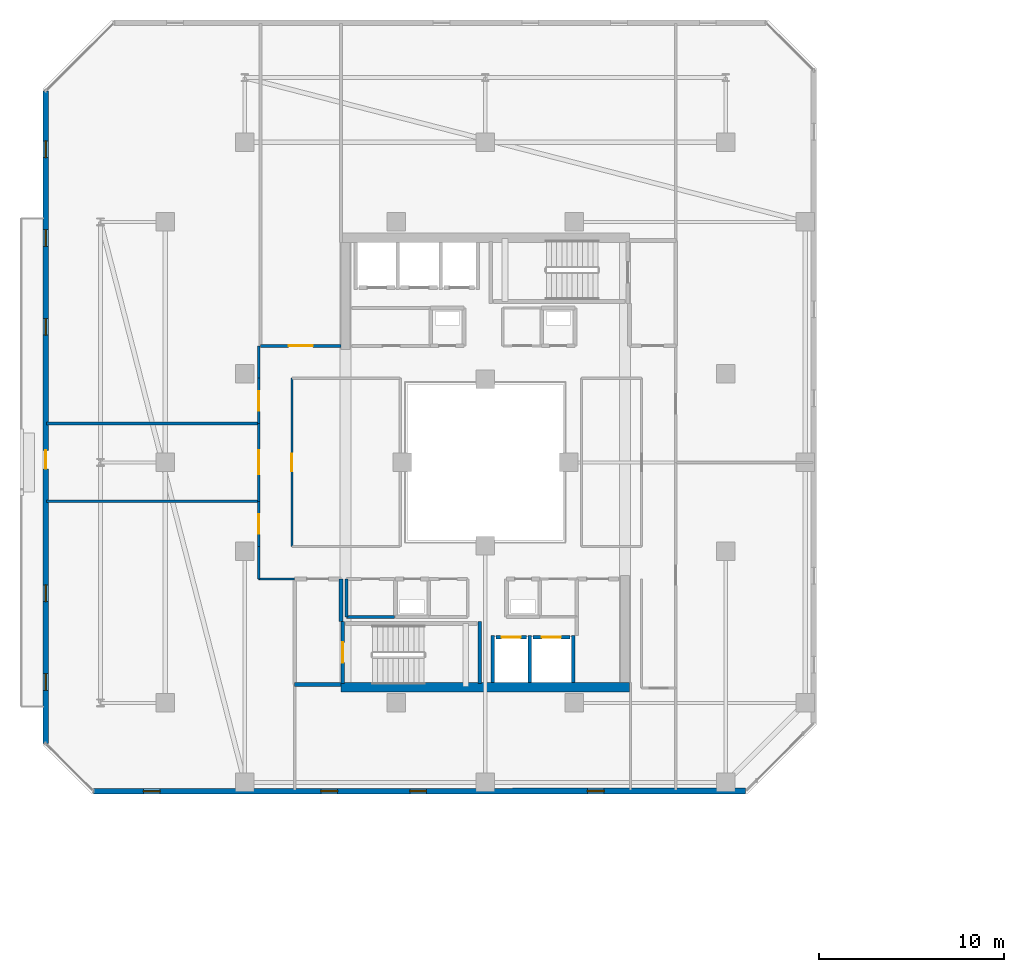
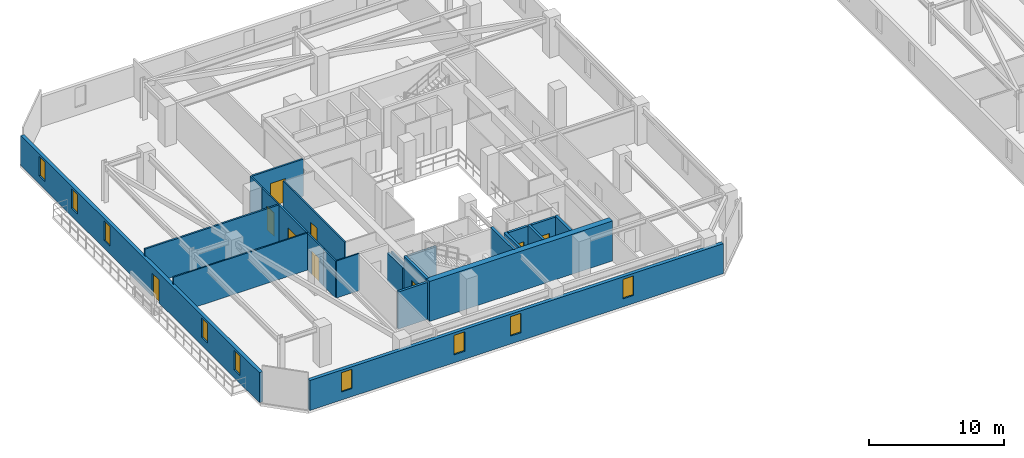
# One storey, part 19 of 33: 24 walls, 9 doors, 9 windows, 18 openings.
"""IFC4 building model written with IfcOpenShell, lengths in metres."""

from ifc_helpers import new_model, si_unit, direction, frame, frame_2d, origin, place, context, subcontext, project, spatial, rectangle, extrude, material, layer, layer_set, type_object, element, fill, save


model = new_model("IFC4")

# Units and contexts
model_context = context("Model", 3, precision=1e-05, world=origin(), true_north=direction((0.0, 1.0)))
body_context = subcontext(model_context, "Body", "Model", "MODEL_VIEW")
ifc_project = project(units=[si_unit("LENGTHUNIT", "METRE"), si_unit("AREAUNIT", "SQUARE_METRE"), si_unit("VOLUMEUNIT", "CUBIC_METRE"), si_unit("PLANEANGLEUNIT", "RADIAN"), si_unit("MASSUNIT", "GRAM", prefix="KILO")], contexts=[model_context])

# Site, building, storey
site_placement = place(None, origin())
site = spatial("IfcSite", under=ifc_project, at=site_placement, CompositionType="ELEMENT")
building_placement = place(site_placement, origin())
building = spatial("IfcBuilding", under=site, at=building_placement, Name="Thornwick Lancets Civic Towers", CompositionType="ELEMENT")
storey_placement = place(building_placement, frame((0.0, 0.0, 207.300048828125)))
storey = spatial("IfcBuildingStorey", under=building, at=storey_placement, Name="L55", CompositionType="ELEMENT", Elevation=207.300048828125)

# Wall, opening, door
ifc_material_1 = material(Name="Concrete blockwork C40/50", Category="masonry")
ifc_layer_1 = layer(ifc_material_1, 0.199951171875, Name="Concrete blockwork C40/50")
ifc_layer_set_1 = layer_set([ifc_layer_1], Name="Concrete blockwork C40/50")
wall_type_1 = type_object("IfcWallType", Name="WALL_COMP_200", PredefinedType="STANDARD", material=ifc_layer_set_1)
wall_1_placement = place(storey_placement, frame((26.080078125, 17.550048828125, 0.0), z_axis=(0.0, 0.0, 1.0), x_axis=(1.0, 0.0, 0.0)))
wall_1 = element("IfcWall", 1, at=wall_1_placement, inside=storey, type_object=wall_type_1, Name="L55 Hoistway Front Wall FL-A1", PredefinedType="STANDARD", context=body_context, shape_type="SweptSolid", body=[
    extrude(rectangle(XDim=1.639892578125, YDim=0.199951171875, at=frame_2d((0.81982421875, 0.0))), origin(), (0.0, 0.0, 1.0), 3.33984375),
])
opening_1_placement = place(wall_1_placement, frame((0.31005859375, 0.0, 0.0)))
opening_1 = element("IfcOpeningElement", 2, at=opening_1_placement, cuts=wall_1, Name="Opening LD-FL-A1", PredefinedType="OPENING", context=body_context, shape_type="SweptSolid", body=[
    extrude(rectangle(XDim=1.02001953125, YDim=2.06005859375, at=frame_2d((0.510009765625, 1.030029296875))), frame((0.0, 0.10986328125, 0.0), z_axis=(0.0, -1.0, 0.0), x_axis=(1.0, 0.0, 0.0)), (0.0, 0.0, 1.0), 0.219970703125),
])
ifc_material_2 = material(Name="Brushed bronze stainless steel", Category="steel")
door_type_1 = type_object("IfcDoorType", Name="DOOR_LIFT_SLIDE", OperationType="SLIDING_TO_LEFT", PredefinedType="DOOR", material=ifc_material_2)
door_1_placement = place(opening_1_placement, origin())
door_1 = element("IfcDoor", 3, at=door_1_placement, inside=storey, type_object=door_type_1, Name="L55 Sliding Lift Landing Door LD-FL-A1", OperationType="SLIDING_TO_LEFT", OverallHeight=2.06005859375, OverallWidth=1.02001953125, PredefinedType="DOOR", context=body_context, shape_type="SweptSolid", body=[
    extrude(rectangle(XDim=1.02001953125, YDim=2.06005859375, at=frame_2d((0.510009765625, 1.030029296875))), frame((0.0, 0.02490234375, 0.0), z_axis=(0.0, -1.0, 0.0), x_axis=(1.0, 0.0, 0.0)), (0.0, 0.0, 1.0), 0.050048828125),
])
fill(opening_1, door_1)

wall_2_placement = place(storey_placement, frame((28.080078125, 17.550048828125, 0.0), z_axis=(0.0, 0.0, 1.0), x_axis=(1.0, 0.0, 0.0)))
wall_2 = element("IfcWall", 4, at=wall_2_placement, inside=storey, type_object=wall_type_1, Name="L55 Hoistway Front Wall PL-AH1", PredefinedType="STANDARD", context=body_context, shape_type="SweptSolid", body=[
    extrude(rectangle(XDim=1.989990234375, YDim=0.199951171875, at=frame_2d((0.9951171875, 0.0))), origin(), (0.0, 0.0, 1.0), 3.33984375),
])
opening_2_placement = place(wall_2_placement, frame((0.485107421875, 0.0, 0.0)))
opening_2 = element("IfcOpeningElement", 5, at=opening_2_placement, cuts=wall_2, Name="Opening LD-PL-AH1", PredefinedType="OPENING", context=body_context, shape_type="SweptSolid", body=[
    extrude(rectangle(XDim=1.02001953125, YDim=2.06005859375, at=frame_2d((0.510009765625, 1.030029296875))), frame((0.0, 0.10986328125, 0.0), z_axis=(0.0, -1.0, 0.0), x_axis=(1.0, 0.0, 0.0)), (0.0, 0.0, 1.0), 0.219970703125),
])
door_2_placement = place(opening_2_placement, origin())
door_2 = element("IfcDoor", 6, at=door_2_placement, inside=storey, type_object=door_type_1, Name="L55 Sliding Lift Landing Door LD-PL-AH1", OperationType="SLIDING_TO_LEFT", OverallHeight=2.06005859375, OverallWidth=1.02001953125, PredefinedType="DOOR", context=body_context, shape_type="SweptSolid", body=[
    extrude(rectangle(XDim=1.02001953125, YDim=2.06005859375, at=frame_2d((0.510009765625, 1.030029296875))), frame((0.0, 0.02490234375, 0.0), z_axis=(0.0, -1.0, 0.0), x_axis=(1.0, 0.0, 0.0)), (0.0, 0.0, 1.0), 0.050048828125),
])
fill(opening_2, door_2)

# Walls
for number, where, z_axis, x_axis, name in (
    (7, (27.89990234375, 15.112060546875, 0.0), (0.0, 0.0, 1.0), (0.0, 1.0, 0.0), "L55 Hoistway Shaft Wall FL-A1 E"),
    (8, (25.89990234375, 15.112060546875, 0.0), (0.0, 0.0, 1.0), (0.0, 1.0, 0.0), "L55 Hoistway Shaft Wall FL-A1 W"),
    (9, (30.25, 15.112060546875, 0.0), (0.0, 0.0, 1.0), (0.0, 1.0, 0.0), "L55 Hoistway Shaft Wall PL-AH1 E"),
):
    element("IfcWall", number, at=place(storey_placement, frame(where, z_axis=z_axis, x_axis=x_axis)), inside=storey, type_object=wall_type_1, Name=name, PredefinedType="STANDARD", context=body_context, shape_type="SweptSolid", body=[
        extrude(rectangle(XDim=2.535888671875, YDim=0.199951171875, at=frame_2d((1.26806640625, 0.0))), origin(), (0.0, 0.0, 1.0), 3.33984375),
    ])
wall_3_placement = place(storey_placement, frame((15.199951171875, 15.0, 0.0), z_axis=(0.0, 0.0, 1.0), x_axis=(1.0, 0.0, 0.0)))
element("IfcWall", 10, at=wall_3_placement, inside=storey, type_object=wall_type_1, Name="L55 Partition L55-A-FFLOB1 E1", PredefinedType="STANDARD", context=body_context, shape_type="SweptSolid", body=[
    extrude(rectangle(XDim=2.5, YDim=0.199951171875, at=frame_2d((1.25, 0.0))), origin(), (0.0, 0.0, 1.0), 3.33984375),
])
wall_4_placement = place(storey_placement, frame((17.699951171875, 18.39990234375, 0.0), z_axis=(0.0, 0.0, 1.0), x_axis=(0.0, 1.0, 0.0)))
element("IfcWall", 11, at=wall_4_placement, inside=storey, type_object=wall_type_1, Name="L55 Partition L55-A-FFLOB1 E2", PredefinedType="STANDARD", context=body_context, shape_type="SweptSolid", body=[
    extrude(rectangle(XDim=2.300048828125, YDim=0.199951171875, at=frame_2d((1.14990234375, 0.0))), origin(), (0.0, 0.0, 1.0), 2.544921875),
])
ifc_material_3 = material(Name="Concrete C50/60", Category="concrete")
ifc_layer_2 = layer(ifc_material_3, 0.5, Name="Concrete C50/60")
ifc_layer_set_2 = layer_set([ifc_layer_2], Name="Concrete C50/60")
wall_type_2 = type_object("IfcWallType", Name="WALL_CORE_500", PredefinedType="SHEAR", material=ifc_layer_set_2)
wall_5_placement = place(storey_placement, frame((17.699951171875, 14.85009765625, 0.0), z_axis=(0.0, 0.0, 1.0), x_axis=(1.0, 0.0, 0.0)))
element("IfcWall", 12, at=wall_5_placement, inside=storey, type_object=wall_type_2, Name="L55 Split Core A1 Shear Wall S", PredefinedType="SHEAR", context=body_context, shape_type="SweptSolid", body=[
    extrude(rectangle(XDim=15.60009765625, YDim=0.5, at=frame_2d((7.800048828125, 0.0))), origin(), (0.0, 0.0, 1.0), 3.599853515625),
])

# Wall, openings, windows
ifc_material_4 = material(Name="Insulated russet terracotta rainscreen on concrete C40/50", Category="masonry")
ifc_layer_3 = layer(ifc_material_4, 0.300048828125, Name="Insulated russet terracotta rainscreen on concrete C40/50")
ifc_layer_set_3 = layer_set([ifc_layer_3], Name="Insulated russet terracotta rainscreen on concrete C40/50")
wall_type_3 = type_object("IfcWallType", Name="WALL_EXT_RUSSET_300", PredefinedType="STANDARD", material=ifc_layer_set_3)
wall_6_placement = place(storey_placement, frame((4.318603515625, 9.2353515625, 0.0), z_axis=(0.0, 0.0, 1.0), x_axis=(0.999999994606, 0.000103863011, 0.0)))
wall_6 = element("IfcWall", 13, at=wall_6_placement, inside=storey, type_object=wall_type_3, Name="L55 Tower A Terracotta Facade Wall E0", PredefinedType="STANDARD", context=body_context, shape_type="SweptSolid", body=[
    extrude(rectangle(XDim=35.259033203125, YDim=0.300048828125, at=frame_2d((17.62939453125, 0.0))), origin(), (0.0, 0.0, 1.0), 2.699951171875),
])
opening_3_placement = place(wall_6_placement, frame((2.699951171875, 0.0, 0.719970703125)))
opening_3 = element("IfcOpeningElement", 14, at=opening_3_placement, cuts=wall_6, Name="Opening WL-01", PredefinedType="OPENING", context=body_context, shape_type="SweptSolid", body=[
    extrude(rectangle(XDim=0.89990234375, YDim=1.75, at=frame_2d((0.449951171875, 0.875))), frame((0.0, 0.16015625, 0.0), z_axis=(0.0, -1.0, 0.0), x_axis=(1.0, 0.0, 0.0)), (0.0, 0.0, 1.0), 0.320068359375),
])
opening_4_placement = place(wall_6_placement, frame((12.300048828125, 0.0, 0.719970703125)))
opening_4 = element("IfcOpeningElement", 15, at=opening_4_placement, cuts=wall_6, Name="Opening WL-01", PredefinedType="OPENING", context=body_context, shape_type="SweptSolid", body=[
    extrude(rectangle(XDim=0.89990234375, YDim=1.75, at=frame_2d((0.449951171875, 0.875))), frame((0.0, 0.16015625, 0.0), z_axis=(0.0, -1.0, 0.0), x_axis=(1.0, 0.0, 0.0)), (0.0, 0.0, 1.0), 0.320068359375),
])
opening_5_placement = place(wall_6_placement, frame((17.10009765625, 0.0, 0.719970703125)))
opening_5 = element("IfcOpeningElement", 16, at=opening_5_placement, cuts=wall_6, Name="Opening WL-01", PredefinedType="OPENING", context=body_context, shape_type="SweptSolid", body=[
    extrude(rectangle(XDim=0.89990234375, YDim=1.75, at=frame_2d((0.449951171875, 0.875))), frame((0.0, 0.16015625, 0.0), z_axis=(0.0, -1.0, 0.0), x_axis=(1.0, 0.0, 0.0)), (0.0, 0.0, 1.0), 0.320068359375),
])
opening_6_placement = place(wall_6_placement, frame((26.699951171875, 0.0, 0.719970703125)))
opening_6 = element("IfcOpeningElement", 17, at=opening_6_placement, cuts=wall_6, Name="Opening WL-01", PredefinedType="OPENING", context=body_context, shape_type="SweptSolid", body=[
    extrude(rectangle(XDim=0.89990234375, YDim=1.75, at=frame_2d((0.449951171875, 0.875))), frame((0.0, 0.16015625, 0.0), z_axis=(0.0, -1.0, 0.0), x_axis=(1.0, 0.0, 0.0)), (0.0, 0.0, 1.0), 0.320068359375),
])
ifc_material_5 = material(Name="Clear low-e double glazing in bronze frame", Category="glass")
window_type = type_object("IfcWindowType", Name="WIN_LANCET_900", PartitioningType="SINGLE_PANEL", PredefinedType="WINDOW", material=ifc_material_5)
window_1_placement = place(opening_3_placement, origin())
window_1 = element("IfcWindow", 18, at=window_1_placement, inside=storey, type_object=window_type, Name="L55 Tower A Staggered Lancet Window E0-1", OverallHeight=1.75, OverallWidth=0.89990234375, PartitioningType="SINGLE_PANEL", PredefinedType="WINDOW", context=body_context, shape_type="SweptSolid", body=[
    extrude(rectangle(XDim=0.89990234375, YDim=1.75, at=frame_2d((0.449951171875, 0.875))), frame((0.0, 0.030029296875, 0.0), z_axis=(0.0, -1.0, 0.0), x_axis=(1.0, 0.0, 0.0)), (0.0, 0.0, 1.0), 0.06005859375),
])
fill(opening_3, window_1)
window_2_placement = place(opening_4_placement, origin())
window_2 = element("IfcWindow", 19, at=window_2_placement, inside=storey, type_object=window_type, Name="L55 Tower A Staggered Lancet Window E0-2", OverallHeight=1.75, OverallWidth=0.89990234375, PartitioningType="SINGLE_PANEL", PredefinedType="WINDOW", context=body_context, shape_type="SweptSolid", body=[
    extrude(rectangle(XDim=0.89990234375, YDim=1.75, at=frame_2d((0.449951171875, 0.875))), frame((0.0, 0.030029296875, 0.0), z_axis=(0.0, -1.0, 0.0), x_axis=(1.0, 0.0, 0.0)), (0.0, 0.0, 1.0), 0.06005859375),
])
fill(opening_4, window_2)
window_3_placement = place(opening_5_placement, origin())
window_3 = element("IfcWindow", 20, at=window_3_placement, inside=storey, type_object=window_type, Name="L55 Tower A Staggered Lancet Window E0-3", OverallHeight=1.75, OverallWidth=0.89990234375, PartitioningType="SINGLE_PANEL", PredefinedType="WINDOW", context=body_context, shape_type="SweptSolid", body=[
    extrude(rectangle(XDim=0.89990234375, YDim=1.75, at=frame_2d((0.449951171875, 0.875))), frame((0.0, 0.030029296875, 0.0), z_axis=(0.0, -1.0, 0.0), x_axis=(1.0, 0.0, 0.0)), (0.0, 0.0, 1.0), 0.06005859375),
])
fill(opening_5, window_3)
window_4_placement = place(opening_6_placement, origin())
window_4 = element("IfcWindow", 21, at=window_4_placement, inside=storey, type_object=window_type, Name="L55 Tower A Staggered Lancet Window E0-4", OverallHeight=1.75, OverallWidth=0.89990234375, PartitioningType="SINGLE_PANEL", PredefinedType="WINDOW", context=body_context, shape_type="SweptSolid", body=[
    extrude(rectangle(XDim=0.89990234375, YDim=1.75, at=frame_2d((0.449951171875, 0.875))), frame((0.0, 0.030029296875, 0.0), z_axis=(0.0, -1.0, 0.0), x_axis=(1.0, 0.0, 0.0)), (0.0, 0.0, 1.0), 0.06005859375),
])
fill(opening_6, window_4)

# Wall, openings, door, windows
wall_7_placement = place(storey_placement, frame((1.739013671875, 47.07763671875, 0.0), z_axis=(0.0, 0.0, 1.0), x_axis=(-0.000103863011, -0.999999994606, 0.0)))
wall_7 = element("IfcWall", 22, at=wall_7_placement, inside=storey, type_object=wall_type_3, Name="L55 Tower A Terracotta Facade Wall E6", PredefinedType="STANDARD", context=body_context, shape_type="SweptSolid", body=[
    extrude(rectangle(XDim=35.259033203125, YDim=0.300048828125, at=frame_2d((17.62939453125, 0.0))), origin(), (0.0, 0.0, 1.0), 2.699951171875),
])
opening_7_placement = place(wall_7_placement, frame((19.4296875, 0.0, 0.0)))
opening_7 = element("IfcOpeningElement", 23, at=opening_7_placement, cuts=wall_7, Name="Opening D-BL-L55-AW", PredefinedType="OPENING", context=body_context, shape_type="SweptSolid", body=[
    extrude(rectangle(XDim=1.0, YDim=2.080078125, at=frame_2d((0.5, 1.0400390625))), frame((0.0, 0.16015625, 0.0), z_axis=(0.0, -1.0, 0.0), x_axis=(1.0, 0.0, 0.0)), (0.0, 0.0, 1.0), 0.320068359375),
])
opening_8_placement = place(wall_7_placement, frame((2.699951171875, 0.0, 0.719970703125)))
opening_8 = element("IfcOpeningElement", 24, at=opening_8_placement, cuts=wall_7, Name="Opening WL-01", PredefinedType="OPENING", context=body_context, shape_type="SweptSolid", body=[
    extrude(rectangle(XDim=0.89990234375, YDim=1.75, at=frame_2d((0.449951171875, 0.875))), frame((0.0, 0.16015625, 0.0), z_axis=(0.0, -1.0, 0.0), x_axis=(1.0, 0.0, 0.0)), (0.0, 0.0, 1.0), 0.320068359375),
])
opening_9_placement = place(wall_7_placement, frame((7.5, 0.0, 0.719970703125)))
opening_9 = element("IfcOpeningElement", 25, at=opening_9_placement, cuts=wall_7, Name="Opening WL-01", PredefinedType="OPENING", context=body_context, shape_type="SweptSolid", body=[
    extrude(rectangle(XDim=0.89990234375, YDim=1.75, at=frame_2d((0.449951171875, 0.875))), frame((0.0, 0.16015625, 0.0), z_axis=(0.0, -1.0, 0.0), x_axis=(1.0, 0.0, 0.0)), (0.0, 0.0, 1.0), 0.320068359375),
])
opening_10_placement = place(wall_7_placement, frame((12.300048828125, 0.0, 0.719970703125)))
opening_10 = element("IfcOpeningElement", 26, at=opening_10_placement, cuts=wall_7, Name="Opening WL-01", PredefinedType="OPENING", context=body_context, shape_type="SweptSolid", body=[
    extrude(rectangle(XDim=0.89990234375, YDim=1.75, at=frame_2d((0.449951171875, 0.875))), frame((0.0, 0.16015625, 0.0), z_axis=(0.0, -1.0, 0.0), x_axis=(1.0, 0.0, 0.0)), (0.0, 0.0, 1.0), 0.320068359375),
])
opening_11_placement = place(wall_7_placement, frame((26.699951171875, 0.0, 0.719970703125)))
opening_11 = element("IfcOpeningElement", 27, at=opening_11_placement, cuts=wall_7, Name="Opening WL-01", PredefinedType="OPENING", context=body_context, shape_type="SweptSolid", body=[
    extrude(rectangle(XDim=0.89990234375, YDim=1.75, at=frame_2d((0.449951171875, 0.875))), frame((0.0, 0.16015625, 0.0), z_axis=(0.0, -1.0, 0.0), x_axis=(1.0, 0.0, 0.0)), (0.0, 0.0, 1.0), 0.320068359375),
])
opening_12_placement = place(wall_7_placement, frame((31.5, 0.0, 0.719970703125)))
opening_12 = element("IfcOpeningElement", 28, at=opening_12_placement, cuts=wall_7, Name="Opening WL-01", PredefinedType="OPENING", context=body_context, shape_type="SweptSolid", body=[
    extrude(rectangle(XDim=0.89990234375, YDim=1.75, at=frame_2d((0.449951171875, 0.875))), frame((0.0, 0.16015625, 0.0), z_axis=(0.0, -1.0, 0.0), x_axis=(1.0, 0.0, 0.0)), (0.0, 0.0, 1.0), 0.320068359375),
])
ifc_material_6 = material(Name="Thermally broken glazed loggia doorset")
door_type_2 = type_object("IfcDoorType", Name="DOOR_BALC_1000", OperationType="NOTDEFINED", PredefinedType="DOOR", material=ifc_material_6)
door_3_placement = place(opening_7_placement, origin())
door_3 = element("IfcDoor", 29, at=door_3_placement, inside=storey, type_object=door_type_2, Name="L55 Tower A Loggia Balcony Door W", OperationType="SINGLE_SWING_RIGHT", OverallHeight=2.080078125, OverallWidth=1.0, PredefinedType="DOOR", context=body_context, shape_type="SweptSolid", body=[
    extrude(rectangle(XDim=1.0, YDim=2.080078125, at=frame_2d((0.5, 1.0400390625))), frame((0.0, 0.02490234375, 0.0), z_axis=(0.0, -1.0, 0.0), x_axis=(1.0, 0.0, 0.0)), (0.0, 0.0, 1.0), 0.050048828125),
])
fill(opening_7, door_3)
window_5_placement = place(opening_8_placement, origin())
window_5 = element("IfcWindow", 30, at=window_5_placement, inside=storey, type_object=window_type, Name="L55 Tower A Staggered Lancet Window E6-1", OverallHeight=1.75, OverallWidth=0.89990234375, PartitioningType="SINGLE_PANEL", PredefinedType="WINDOW", context=body_context, shape_type="SweptSolid", body=[
    extrude(rectangle(XDim=0.89990234375, YDim=1.75, at=frame_2d((0.449951171875, 0.875))), frame((0.0, 0.030029296875, 0.0), z_axis=(0.0, -1.0, 0.0), x_axis=(1.0, 0.0, 0.0)), (0.0, 0.0, 1.0), 0.06005859375),
])
fill(opening_8, window_5)
window_6_placement = place(opening_9_placement, origin())
window_6 = element("IfcWindow", 31, at=window_6_placement, inside=storey, type_object=window_type, Name="L55 Tower A Staggered Lancet Window E6-2", OverallHeight=1.75, OverallWidth=0.89990234375, PartitioningType="SINGLE_PANEL", PredefinedType="WINDOW", context=body_context, shape_type="SweptSolid", body=[
    extrude(rectangle(XDim=0.89990234375, YDim=1.75, at=frame_2d((0.449951171875, 0.875))), frame((0.0, 0.030029296875, 0.0), z_axis=(0.0, -1.0, 0.0), x_axis=(1.0, 0.0, 0.0)), (0.0, 0.0, 1.0), 0.06005859375),
])
fill(opening_9, window_6)
window_7_placement = place(opening_10_placement, origin())
window_7 = element("IfcWindow", 32, at=window_7_placement, inside=storey, type_object=window_type, Name="L55 Tower A Staggered Lancet Window E6-3", OverallHeight=1.75, OverallWidth=0.89990234375, PartitioningType="SINGLE_PANEL", PredefinedType="WINDOW", context=body_context, shape_type="SweptSolid", body=[
    extrude(rectangle(XDim=0.89990234375, YDim=1.75, at=frame_2d((0.449951171875, 0.875))), frame((0.0, 0.030029296875, 0.0), z_axis=(0.0, -1.0, 0.0), x_axis=(1.0, 0.0, 0.0)), (0.0, 0.0, 1.0), 0.06005859375),
])
fill(opening_10, window_7)
window_8_placement = place(opening_11_placement, origin())
window_8 = element("IfcWindow", 33, at=window_8_placement, inside=storey, type_object=window_type, Name="L55 Tower A Staggered Lancet Window E6-4", OverallHeight=1.75, OverallWidth=0.89990234375, PartitioningType="SINGLE_PANEL", PredefinedType="WINDOW", context=body_context, shape_type="SweptSolid", body=[
    extrude(rectangle(XDim=0.89990234375, YDim=1.75, at=frame_2d((0.449951171875, 0.875))), frame((0.0, 0.030029296875, 0.0), z_axis=(0.0, -1.0, 0.0), x_axis=(1.0, 0.0, 0.0)), (0.0, 0.0, 1.0), 0.06005859375),
])
fill(opening_11, window_8)
window_9_placement = place(opening_12_placement, origin())
window_9 = element("IfcWindow", 34, at=window_9_placement, inside=storey, type_object=window_type, Name="L55 Tower A Staggered Lancet Window E6-5", OverallHeight=1.75, OverallWidth=0.89990234375, PartitioningType="SINGLE_PANEL", PredefinedType="WINDOW", context=body_context, shape_type="SweptSolid", body=[
    extrude(rectangle(XDim=0.89990234375, YDim=1.75, at=frame_2d((0.449951171875, 0.875))), frame((0.0, 0.030029296875, 0.0), z_axis=(0.0, -1.0, 0.0), x_axis=(1.0, 0.0, 0.0)), (0.0, 0.0, 1.0), 0.06005859375),
])
fill(opening_12, window_9)

# Wall
ifc_material_7 = material(Name="Acoustic gypsum board partition")
ifc_layer_4 = layer(ifc_material_7, 0.1201171875, Name="Acoustic gypsum board partition")
ifc_layer_set_4 = layer_set([ifc_layer_4], Name="Acoustic gypsum board partition")
wall_type_4 = type_object("IfcWallType", Name="WALL_PART_120", PredefinedType="PARTITIONING", material=ifc_layer_set_4)
wall_8_placement = place(storey_placement, frame((1.780029296875, 24.89990234375, 0.0), z_axis=(0.0, 0.0, 1.0), x_axis=(1.0, 0.0, 0.0)))
element("IfcWall", 35, at=wall_8_placement, inside=storey, type_object=wall_type_4, Name="L55 Partition L55-A-W1 E2", PredefinedType="PARTITIONING", context=body_context, shape_type="SweptSolid", body=[
    extrude(rectangle(XDim=11.469970703125, YDim=0.1201171875, at=frame_2d((5.73486328125, 0.0))), origin(), (0.0, 0.0, 1.0), 3.33984375),
])

# Wall, opening, door
wall_9_placement = place(storey_placement, frame((13.25, 24.89990234375, 0.0), z_axis=(0.0, 0.0, 1.0), x_axis=(0.0, -1.0, 0.0)))
wall_9 = element("IfcWall", 36, at=wall_9_placement, inside=storey, type_object=wall_type_4, Name="L55 Partition L55-A-W1 E3", PredefinedType="PARTITIONING", context=body_context, shape_type="SweptSolid", body=[
    extrude(rectangle(XDim=2.449951171875, YDim=0.1201171875, at=frame_2d((1.22509765625, 0.0))), origin(), (0.0, 0.0, 1.0), 3.33984375),
])
opening_13_placement = place(wall_9_placement, frame((0.699951171875, 0.0, 0.0)))
opening_13 = element("IfcOpeningElement", 37, at=opening_13_placement, cuts=wall_9, Name="Opening D-L55-2459", PredefinedType="OPENING", context=body_context, shape_type="SweptSolid", body=[
    extrude(rectangle(XDim=1.050048828125, YDim=2.10009765625, at=frame_2d((0.52490234375, 1.050048828125))), frame((0.0, 0.070068359375, 0.0), z_axis=(0.0, -1.0, 0.0), x_axis=(1.0, 0.0, 0.0)), (0.0, 0.0, 1.0), 0.14013671875),
])
ifc_material_8 = material(Name="Glazed European oak executive doorset")
door_type_3 = type_object("IfcDoorType", Name="DOOR_OFFICE_1050", OperationType="NOTDEFINED", PredefinedType="DOOR", material=ifc_material_8)
door_4_placement = place(opening_13_placement, origin())
door_4 = element("IfcDoor", 38, at=door_4_placement, inside=storey, type_object=door_type_3, Name="L55 Tower A Ministry Directorate Office W1 Door", OperationType="SINGLE_SWING_RIGHT", OverallHeight=2.10009765625, OverallWidth=1.050048828125, PredefinedType="DOOR", context=body_context, shape_type="SweptSolid", body=[
    extrude(rectangle(XDim=1.050048828125, YDim=2.10009765625, at=frame_2d((0.52490234375, 1.050048828125))), frame((0.0, 0.02490234375, 0.0), z_axis=(0.0, -1.0, 0.0), x_axis=(1.0, 0.0, 0.0)), (0.0, 0.0, 1.0), 0.050048828125),
])
fill(opening_13, door_4)

# Walls
wall_10_placement = place(storey_placement, frame((13.25, 22.449951171875, 0.0), z_axis=(0.0, 0.0, 1.0), x_axis=(0.0, -1.0, 0.0)))
element("IfcWall", 39, at=wall_10_placement, inside=storey, type_object=wall_type_4, Name="L55 Partition L55-A-W1 E4", PredefinedType="PARTITIONING", context=body_context, shape_type="SweptSolid", body=[
    extrude(rectangle(XDim=1.75, YDim=0.1201171875, at=frame_2d((0.875, 0.0))), origin(), (0.0, 0.0, 1.0), 3.33984375),
])
wall_11_placement = place(storey_placement, frame((13.25, 20.699951171875, 0.0), z_axis=(0.0, 0.0, 1.0), x_axis=(1.0, 0.0, 0.0)))
element("IfcWall", 40, at=wall_11_placement, inside=storey, type_object=wall_type_4, Name="L55 Partition L55-A-W1 E5", PredefinedType="PARTITIONING", context=body_context, shape_type="SweptSolid", body=[
    extrude(rectangle(XDim=1.949951171875, YDim=0.1201171875, at=frame_2d((0.97509765625, 0.0))), origin(), (0.0, 0.0, 1.0), 3.33984375),
])
wall_12_placement = place(storey_placement, frame((13.25, 33.300048828125, 0.0), z_axis=(0.0, 0.0, 1.0), x_axis=(0.0, -1.0, 0.0)))
element("IfcWall", 41, at=wall_12_placement, inside=storey, type_object=wall_type_4, Name="L55 Partition L55-A-W2B E5", PredefinedType="PARTITIONING", context=body_context, shape_type="SweptSolid", body=[
    extrude(rectangle(XDim=1.75, YDim=0.1201171875, at=frame_2d((0.875, 0.0))), origin(), (0.0, 0.0, 1.0), 3.33984375),
])

# Wall, opening, door
wall_13_placement = place(storey_placement, frame((13.25, 31.550048828125, 0.0), z_axis=(0.0, 0.0, 1.0), x_axis=(0.0, -1.0, 0.0)))
wall_13 = element("IfcWall", 42, at=wall_13_placement, inside=storey, type_object=wall_type_4, Name="L55 Partition L55-A-W2B E6", PredefinedType="PARTITIONING", context=body_context, shape_type="SweptSolid", body=[
    extrude(rectangle(XDim=2.449951171875, YDim=0.1201171875, at=frame_2d((1.22509765625, 0.0))), origin(), (0.0, 0.0, 1.0), 3.33984375),
])
opening_14_placement = place(wall_13_placement, frame((0.699951171875, 0.0, 0.0)))
opening_14 = element("IfcOpeningElement", 43, at=opening_14_placement, cuts=wall_13, Name="Opening D-L55-2461", PredefinedType="OPENING", context=body_context, shape_type="SweptSolid", body=[
    extrude(rectangle(XDim=1.050048828125, YDim=2.10009765625, at=frame_2d((0.52490234375, 1.050048828125))), frame((0.0, 0.070068359375, 0.0), z_axis=(0.0, -1.0, 0.0), x_axis=(1.0, 0.0, 0.0)), (0.0, 0.0, 1.0), 0.14013671875),
])
door_5_placement = place(opening_14_placement, origin())
door_5 = element("IfcDoor", 44, at=door_5_placement, inside=storey, type_object=door_type_3, Name="L55 Tower A Parliamentary Casework Suite W2B Door", OperationType="SINGLE_SWING_RIGHT", OverallHeight=2.10009765625, OverallWidth=1.050048828125, PredefinedType="DOOR", context=body_context, shape_type="SweptSolid", body=[
    extrude(rectangle(XDim=1.050048828125, YDim=2.10009765625, at=frame_2d((0.52490234375, 1.050048828125))), frame((0.0, 0.02490234375, 0.0), z_axis=(0.0, -1.0, 0.0), x_axis=(1.0, 0.0, 0.0)), (0.0, 0.0, 1.0), 0.050048828125),
])
fill(opening_14, door_5)

wall_14_placement = place(storey_placement, frame((15.050048828125, 22.449951171875, 0.0), z_axis=(0.0, 0.0, 1.0), x_axis=(0.0, 1.0, 0.0)))
wall_14 = element("IfcWall", 45, at=wall_14_placement, inside=storey, type_object=wall_type_4, Name="L55 Partition L55-A-W3 E1", PredefinedType="PARTITIONING", context=body_context, shape_type="SweptSolid", body=[
    extrude(rectangle(XDim=9.10009765625, YDim=0.1201171875, at=frame_2d((4.550048828125, 0.0))), origin(), (0.0, 0.0, 1.0), 3.33984375),
])
opening_15_placement = place(wall_14_placement, frame((4.074951171875, 0.0, 0.0)))
opening_15 = element("IfcOpeningElement", 46, at=opening_15_placement, cuts=wall_14, Name="Opening D-L55-2462", PredefinedType="OPENING", context=body_context, shape_type="SweptSolid", body=[
    extrude(rectangle(XDim=0.949951171875, YDim=2.10009765625, at=frame_2d((0.47509765625, 1.050048828125))), frame((0.0, 0.070068359375, 0.0), z_axis=(0.0, -1.0, 0.0), x_axis=(1.0, 0.0, 0.0)), (0.0, 0.0, 1.0), 0.14013671875),
])
ifc_material_9 = material(Name="European oak acoustic doorset")
door_type_4 = type_object("IfcDoorType", Name="DOOR_OFFICE_950", OperationType="NOTDEFINED", PredefinedType="DOOR", material=ifc_material_9)
door_6_placement = place(opening_15_placement, origin())
door_6 = element("IfcDoor", 47, at=door_6_placement, inside=storey, type_object=door_type_4, Name="L55 Tower A West Atrium Gallery Suite Door", OperationType="SINGLE_SWING_LEFT", OverallHeight=2.10009765625, OverallWidth=0.949951171875, PredefinedType="DOOR", context=body_context, shape_type="SweptSolid", body=[
    extrude(rectangle(XDim=0.949951171875, YDim=2.10009765625, at=frame_2d((0.47509765625, 1.050048828125))), frame((0.0, 0.02490234375, 0.0), z_axis=(0.0, -1.0, 0.0), x_axis=(1.0, 0.0, 0.0)), (0.0, 0.0, 1.0), 0.050048828125),
])
fill(opening_15, door_6)

# Walls
ifc_material_10 = material(Name="Twin-stud acoustic gypsum board")
ifc_layer_5 = layer(ifc_material_10, 0.14990234375, Name="Twin-stud acoustic gypsum board")
ifc_layer_set_5 = layer_set([ifc_layer_5], Name="Twin-stud acoustic gypsum board")
wall_type_5 = type_object("IfcWallType", Name="WALL_PART_150", PredefinedType="PARTITIONING", material=ifc_layer_set_5)
wall_15_placement = place(storey_placement, frame((18.0, 18.64990234375, 0.0), z_axis=(0.0, 0.0, 1.0), x_axis=(1.0, 0.0, 0.0)))
element("IfcWall", 48, at=wall_15_placement, inside=storey, type_object=wall_type_5, Name="L55 Partition L55-A-MWC E1", PredefinedType="PARTITIONING", context=body_context, shape_type="SweptSolid", body=[
    extrude(rectangle(XDim=2.60009765625, YDim=0.14990234375, at=frame_2d((1.300048828125, 0.0))), origin(), (0.0, 0.0, 1.0), 3.33984375),
])
wall_16_placement = place(storey_placement, frame((18.0, 20.699951171875, 0.0), z_axis=(0.0, 0.0, 1.0), x_axis=(0.0, -1.0, 0.0)))
element("IfcWall", 49, at=wall_16_placement, inside=storey, type_object=wall_type_5, Name="L55 Partition L55-A-MWC E4", PredefinedType="PARTITIONING", context=body_context, shape_type="SweptSolid", body=[
    extrude(rectangle(XDim=2.050048828125, YDim=0.14990234375, at=frame_2d((1.02490234375, 0.0))), origin(), (0.0, 0.0, 1.0), 2.544921875),
])

# Wall, opening, door
wall_17_placement = place(storey_placement, frame((17.699951171875, 33.300048828125, 0.0), z_axis=(0.0, 0.0, 1.0), x_axis=(-1.0, 0.0, 0.0)))
wall_17 = element("IfcWall", 50, at=wall_17_placement, inside=storey, type_object=wall_type_5, Name="L55 Partition L55-A-RECLAIM-M1 E4", PredefinedType="PARTITIONING", context=body_context, shape_type="SweptSolid", body=[
    extrude(rectangle(XDim=4.349853515625, YDim=0.14990234375, at=frame_2d((2.1748046875, 0.0))), origin(), (0.0, 0.0, 1.0), 3.33984375),
])
opening_16_placement = place(wall_17_placement, frame((1.52490234375, 0.0, 0.0)))
opening_16 = element("IfcOpeningElement", 51, at=opening_16_placement, cuts=wall_17, Name="Opening D-L55-2458", PredefinedType="OPENING", context=body_context, shape_type="SweptSolid", body=[
    extrude(rectangle(XDim=1.300048828125, YDim=2.1201171875, at=frame_2d((0.64990234375, 1.06005859375))), frame((0.0, 0.0849609375, 0.0), z_axis=(0.0, -1.0, 0.0), x_axis=(1.0, 0.0, 0.0)), (0.0, 0.0, 1.0), 0.169921875),
])
ifc_material_11 = material(Name="Acoustic oak leaf-and-a-half doorset")
door_type_5 = type_object("IfcDoorType", Name="DOOR_MEET_1300", OperationType="DOUBLE_DOOR_SINGLE_SWING", PredefinedType="DOOR", material=ifc_material_11)
door_7_placement = place(opening_16_placement, origin())
door_7 = element("IfcDoor", 52, at=door_7_placement, inside=storey, type_object=door_type_5, Name="L55 Tower A Diplomatic Conference Suite Door", OperationType="DOUBLE_DOOR_SINGLE_SWING", OverallHeight=2.1201171875, OverallWidth=1.300048828125, PredefinedType="DOOR", context=body_context, shape_type="SweptSolid", body=[
    extrude(rectangle(XDim=1.300048828125, YDim=2.1201171875, at=frame_2d((0.64990234375, 1.06005859375))), frame((0.0, 0.02490234375, 0.0), z_axis=(0.0, -1.0, 0.0), x_axis=(1.0, 0.0, 0.0)), (0.0, 0.0, 1.0), 0.050048828125),
])
fill(opening_16, door_7)

# Wall
wall_18_placement = place(storey_placement, frame((1.780029296875, 29.10009765625, 0.0), z_axis=(0.0, 0.0, 1.0), x_axis=(1.0, 0.0, 0.0)))
element("IfcWall", 53, at=wall_18_placement, inside=storey, type_object=wall_type_5, Name="L55 Partition L55-A-W2 E3", PredefinedType="PARTITIONING", context=body_context, shape_type="SweptSolid", body=[
    extrude(rectangle(XDim=11.469970703125, YDim=0.14990234375, at=frame_2d((5.73486328125, 0.0))), origin(), (0.0, 0.0, 1.0), 3.33984375),
])

# Wall, opening, door
wall_19_placement = place(storey_placement, frame((13.25, 29.10009765625, 0.0), z_axis=(0.0, 0.0, 1.0), x_axis=(0.0, -1.0, 0.0)))
wall_19 = element("IfcWall", 54, at=wall_19_placement, inside=storey, type_object=wall_type_5, Name="L55 Partition L55-A-W2 E4", PredefinedType="PARTITIONING", context=body_context, shape_type="SweptSolid", body=[
    extrude(rectangle(XDim=4.2001953125, YDim=0.14990234375, at=frame_2d((2.10009765625, 0.0))), origin(), (0.0, 0.0, 1.0), 3.33984375),
])
opening_17_placement = place(wall_19_placement, frame((1.449951171875, 0.0, 0.0)))
opening_17 = element("IfcOpeningElement", 55, at=opening_17_placement, cuts=wall_19, Name="Opening D-L55-2460", PredefinedType="OPENING", context=body_context, shape_type="SweptSolid", body=[
    extrude(rectangle(XDim=1.300048828125, YDim=2.1201171875, at=frame_2d((0.64990234375, 1.06005859375))), frame((0.0, 0.0849609375, 0.0), z_axis=(0.0, -1.0, 0.0), x_axis=(1.0, 0.0, 0.0)), (0.0, 0.0, 1.0), 0.169921875),
])
door_8_placement = place(opening_17_placement, origin())
door_8 = element("IfcDoor", 56, at=door_8_placement, inside=storey, type_object=door_type_5, Name="L55 Tower A Policy Briefing Room W2 Door", OperationType="DOUBLE_DOOR_SINGLE_SWING", OverallHeight=2.1201171875, OverallWidth=1.300048828125, PredefinedType="DOOR", context=body_context, shape_type="SweptSolid", body=[
    extrude(rectangle(XDim=1.300048828125, YDim=2.1201171875, at=frame_2d((0.64990234375, 1.06005859375))), frame((0.0, 0.02490234375, 0.0), z_axis=(0.0, -1.0, 0.0), x_axis=(1.0, 0.0, 0.0)), (0.0, 0.0, 1.0), 0.050048828125),
])
fill(opening_17, door_8)

ifc_material_12 = material(Name="Concrete C40/50", Category="concrete")
ifc_layer_6 = layer(ifc_material_12, 0.199951171875, Name="Concrete C40/50")
ifc_layer_set_6 = layer_set([ifc_layer_6], Name="Concrete C40/50")
wall_type_6 = type_object("IfcWallType", Name="WALL_SHAFT_200", PredefinedType="SHEAR", material=ifc_layer_set_6)
wall_20_placement = place(storey_placement, frame((17.800048828125, 15.050048828125, 0.0), z_axis=(0.0, 0.0, 1.0), x_axis=(0.0, 1.0, 0.0)))
wall_20 = element("IfcWall", 57, at=wall_20_placement, inside=storey, type_object=wall_type_6, Name="L55 ST-A1 Fire Stair Core Wall NEAR", PredefinedType="SHEAR", context=body_context, shape_type="SweptSolid", body=[
    extrude(rectangle(XDim=3.349853515625, YDim=0.199951171875, at=frame_2d((1.6748046875, 0.0))), origin(), (0.0, 0.0, 1.0), 3.599853515625),
])
opening_18_placement = place(wall_20_placement, frame((1.125, 0.0, 0.0)))
opening_18 = element("IfcOpeningElement", 58, at=opening_18_placement, cuts=wall_20, Name="Opening D-ST-A1-L55", PredefinedType="OPENING", context=body_context, shape_type="SweptSolid", body=[
    extrude(rectangle(XDim=1.10009765625, YDim=2.10009765625, at=frame_2d((0.550048828125, 1.050048828125))), frame((0.0, 0.10986328125, 0.0), z_axis=(0.0, -1.0, 0.0), x_axis=(1.0, 0.0, 0.0)), (0.0, 0.0, 1.0), 0.219970703125),
])
ifc_material_13 = material(Name="Fire-resisting steel and hardwood", Category="steel")
door_type_6 = type_object("IfcDoorType", Name="DOOR_STAIR_FD60", OperationType="NOTDEFINED", PredefinedType="DOOR", material=ifc_material_13)
door_9_placement = place(opening_18_placement, origin())
door_9 = element("IfcDoor", 59, at=door_9_placement, inside=storey, type_object=door_type_6, Name="L55 ST-A1 Exit Stair Door", OperationType="SINGLE_SWING_RIGHT", OverallHeight=2.10009765625, OverallWidth=1.10009765625, PredefinedType="DOOR", context=body_context, shape_type="SweptSolid", body=[
    extrude(rectangle(XDim=1.10009765625, YDim=2.10009765625, at=frame_2d((0.550048828125, 1.050048828125))), frame((0.0, 0.02490234375, 0.0), z_axis=(0.0, -1.0, 0.0), x_axis=(1.0, 0.0, 0.0)), (0.0, 0.0, 1.0), 0.050048828125),
])
fill(opening_18, door_9)

# Wall
wall_21_placement = place(storey_placement, frame((25.199951171875, 18.39990234375, 0.0), z_axis=(0.0, 0.0, 1.0), x_axis=(0.0, -1.0, 0.0)))
element("IfcWall", 60, at=wall_21_placement, inside=storey, type_object=wall_type_6, Name="L55 ST-A1 Fire Stair Core Wall FAR", PredefinedType="SHEAR", context=body_context, shape_type="SweptSolid", body=[
    extrude(rectangle(XDim=3.349853515625, YDim=0.199951171875, at=frame_2d((1.6748046875, 0.0))), origin(), (0.0, 0.0, 1.0), 3.599853515625),
])

save(model, "model.ifc")
